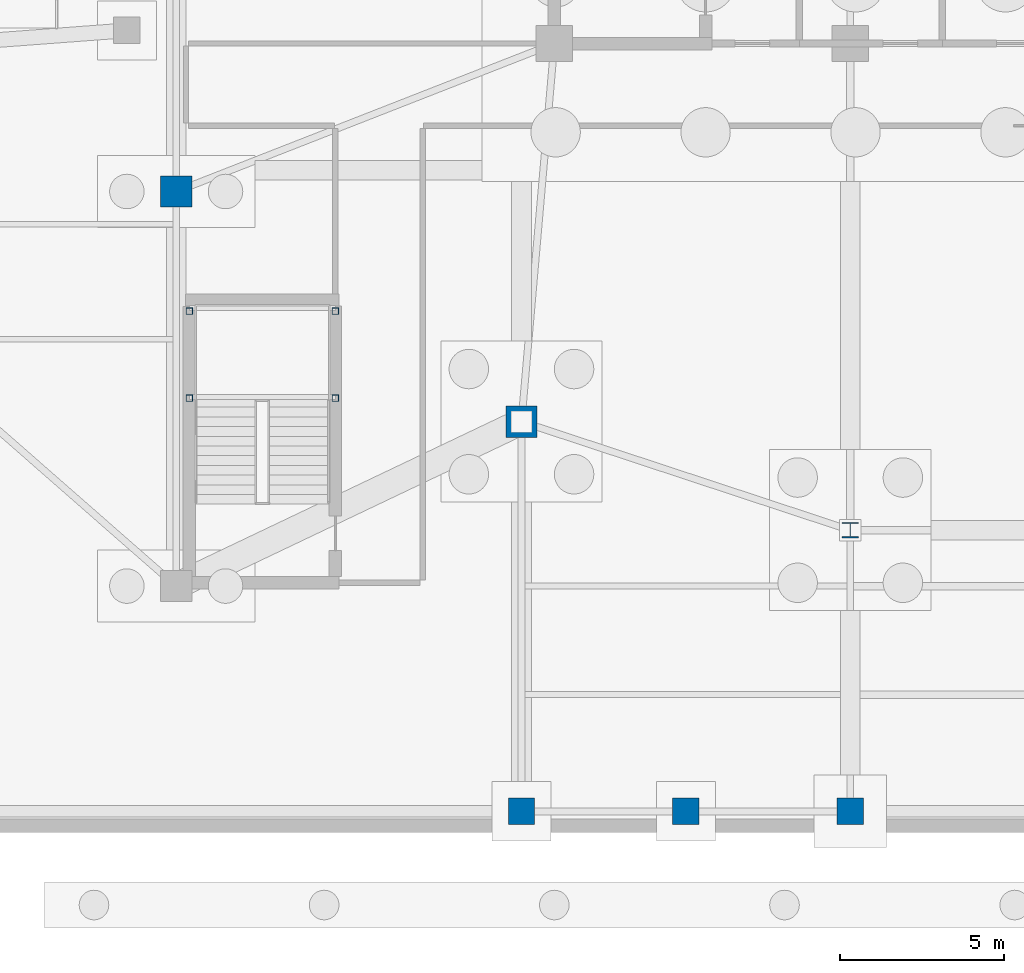
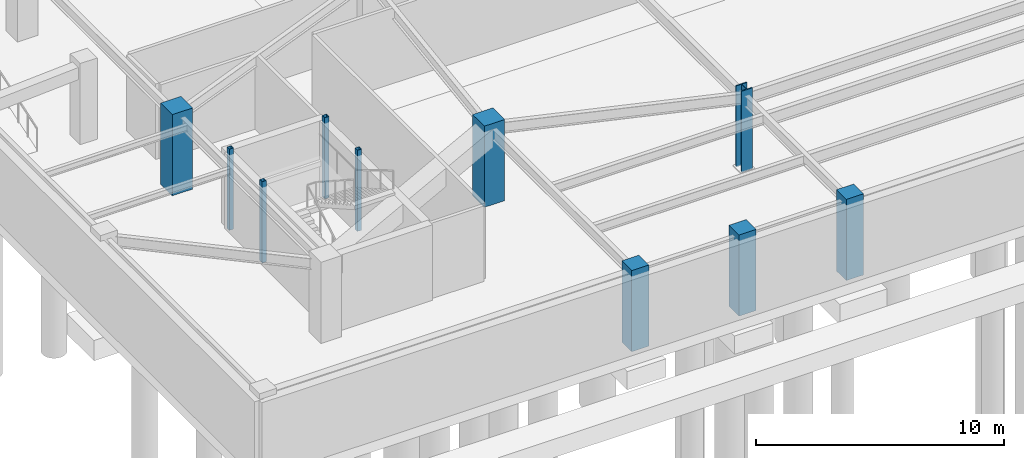
# One storey, part 2 of 10: 10 columns.
"""IFC4 building model written with IfcOpenShell, lengths in metres."""

from ifc_helpers import new_model, si_unit, direction, frame, origin, origin_2d, place, context, subcontext, project, spatial, rectangle, hollow_rectangle, i_section, extrude, source, transform, mapped, material, material_profile, profile_set, type_object, element, save


model = new_model("IFC4")

# Units and contexts
model_context = context("Model", 3, precision=1e-05, world=origin(), true_north=direction((0.0, 1.0)))
body_context = subcontext(model_context, "Body", "Model", "MODEL_VIEW")
ifc_project = project(units=[si_unit("LENGTHUNIT", "METRE"), si_unit("AREAUNIT", "SQUARE_METRE"), si_unit("VOLUMEUNIT", "CUBIC_METRE"), si_unit("PLANEANGLEUNIT", "RADIAN"), si_unit("MASSUNIT", "GRAM", prefix="KILO")], contexts=[model_context])

# Site, building, storey
site_placement = place(None, origin())
site = spatial("IfcSite", under=ifc_project, at=site_placement, CompositionType="ELEMENT")
building_placement = place(site_placement, origin())
building = spatial("IfcBuilding", under=site, at=building_placement, Name="Taldren Reach Tower", CompositionType="ELEMENT")
storey_placement = place(building_placement, frame((0.0, 0.0, -8.0)))
storey = spatial("IfcBuildingStorey", under=building, at=storey_placement, Name="B2", CompositionType="ELEMENT", Elevation=-8.0)

# Columns
ifc_material_1 = material(Name="Steel Gr 350 (350PLUS)", Category="steel")
ifc_material_profile_1 = material_profile(ifc_material_1, i_section(OverallWidth=0.5, OverallDepth=0.47998046875, WebThickness=0.028076171875, FlangeThickness=0.0439453125, at=origin_2d()), Name="500WC440")
ifc_profile_set_1 = profile_set([ifc_material_profile_1], Name="Steel Gr 350 (350PLUS)")
column_type_1 = type_object("IfcColumnType", Name="COL-WC500A", PredefinedType="COLUMN", material=ifc_profile_set_1)
shared_shape_1 = source(origin(), body_context, "Body", "SweptSolid", [
    extrude(i_section(OverallWidth=0.5, OverallDepth=0.47998046875, WebThickness=0.028076171875, FlangeThickness=0.0439453125, at=origin_2d()), origin(), (0.0, 0.0, 1.0), 4.0),
])
column_placement = place(storey_placement, frame((28.0, 9.199951171875, 0.0), z_axis=(0.0, 0.0, 1.0), x_axis=(1.0, 0.0, 0.0)))
element("IfcColumn", 1, at=column_placement, inside=storey, type_object=column_type_1, Name="Mega column MC-PJW B2", PredefinedType="COLUMN", context=body_context, shape_type="MappedRepresentation", body=[
    mapped(shared_shape_1, transform((0.0, 0.0, 0.0), scale=1.0)),
])
ifc_material_2 = material(Name="Concrete S80 (80 MPa)", Category="concrete")
ifc_material_profile_2 = material_profile(ifc_material_2, rectangle(XDim=0.949951171875, YDim=0.949951171875, at=origin_2d()), Name="RC-950x950")
ifc_profile_set_2 = profile_set([ifc_material_profile_2], Name="Concrete S80 (80 MPa)")
column_type_2 = type_object("IfcColumnType", Name="COL-RC950", PredefinedType="COLUMN", material=ifc_profile_set_2)
shared_shape_2 = source(origin(), body_context, "Body", "SweptSolid", [
    extrude(rectangle(XDim=0.949951171875, YDim=0.949951171875, at=origin_2d()), origin(), (0.0, 0.0, 1.0), 4.0),
])
for number, where, z_axis, x_axis, name in (
    (2, (18.0, 12.5, 0.0), (0.0, 0.0, 1.0), (1.0, 0.0, 0.0), "Mega column MC-SW B2"),
    (3, (7.5, 19.5, 0.0), (0.0, 0.0, 1.0), (1.0, 0.0, 0.0), "Podium structural column PG-2 B2"),
):
    element("IfcColumn", number, at=place(storey_placement, frame(where, z_axis=z_axis, x_axis=x_axis)), inside=storey, type_object=column_type_2, Name=name, PredefinedType="COLUMN", context=body_context, shape_type="MappedRepresentation", body=[
        mapped(shared_shape_2, transform((0.0, 0.0, 0.0), scale=1.0)),
    ])
ifc_material_3 = material(Name="Concrete S65 (65 MPa)", Category="concrete")
ifc_material_profile_3 = material_profile(ifc_material_3, rectangle(XDim=0.800048828125, YDim=0.800048828125, at=origin_2d()), Name="RC-800x800")
ifc_profile_set_3 = profile_set([ifc_material_profile_3], Name="Concrete S65 (65 MPa)")
column_type_3 = type_object("IfcColumnType", Name="COL-RC800", PredefinedType="COLUMN", material=ifc_profile_set_3)
shared_shape_3 = source(origin(), body_context, "Body", "SweptSolid", [
    extrude(rectangle(XDim=0.800048828125, YDim=0.800048828125, at=origin_2d()), origin(), (0.0, 0.0, 1.0), 4.0),
])
for number, where, z_axis, x_axis, name in (
    (4, (28.0, 0.64990234375, 0.0), (0.0, 0.0, 1.0), (1.0, 0.0, 0.0), "Podium structural column PG-7 B2"),
    (5, (18.0, 0.64990234375, 0.0), (0.0, 0.0, 1.0), (1.0, 0.0, 0.0), "Podium structural column PP-S1 B2"),
    (6, (23.0, 0.64990234375, 0.0), (0.0, 0.0, 1.0), (1.0, 0.0, 0.0), "Podium structural column PP-S2 B2"),
):
    element("IfcColumn", number, at=place(storey_placement, frame(where, z_axis=z_axis, x_axis=x_axis)), inside=storey, type_object=column_type_3, Name=name, PredefinedType="COLUMN", context=body_context, shape_type="MappedRepresentation", body=[
        mapped(shared_shape_3, transform((0.0, 0.0, 0.0), scale=1.0)),
    ])
ifc_material_4 = material(Name="Steel Gr 350 (C350L0)", Category="steel")
ifc_material_profile_4 = material_profile(ifc_material_4, hollow_rectangle(XDim=0.199951171875, YDim=0.199951171875, WallThickness=0.009033203125, at=origin_2d()), Name="200x200x9.0SHS")
ifc_profile_set_4 = profile_set([ifc_material_profile_4], Name="Steel Gr 350 (C350L0)")
column_type_4 = type_object("IfcColumnType", Name="COL-SHS200", PredefinedType="COLUMN", material=ifc_profile_set_4)
shared_shape_4 = source(origin(), body_context, "Body", "SweptSolid", [
    extrude(hollow_rectangle(XDim=0.199951171875, YDim=0.199951171875, WallThickness=0.009033203125, at=origin_2d()), origin(), (0.0, 0.0, 1.0), 4.0),
])
for number, where, z_axis, x_axis, name in (
    (7, (7.89990234375, 13.215087890625, 0.0), (0.0, 0.0, 1.0), (1.0, 0.0, 0.0), "Podium stair ST3 structural post 1 B2"),
    (8, (12.340087890625, 13.215087890625, 0.0), (0.0, 0.0, 1.0), (1.0, 0.0, 0.0), "Podium stair ST3 structural post 2 B2"),
    (9, (7.89990234375, 15.860107421875, 0.0), (0.0, 0.0, 1.0), (1.0, 0.0, 0.0), "Podium stair ST3 structural post 3 B2"),
    (10, (12.340087890625, 15.860107421875, 0.0), (0.0, 0.0, 1.0), (1.0, 0.0, 0.0), "Podium stair ST3 structural post 4 B2"),
):
    element("IfcColumn", number, at=place(storey_placement, frame(where, z_axis=z_axis, x_axis=x_axis)), inside=storey, type_object=column_type_4, Name=name, PredefinedType="COLUMN", context=body_context, shape_type="MappedRepresentation", body=[
        mapped(shared_shape_4, transform((0.0, 0.0, 0.0), scale=1.0)),
    ])

save(model, "model.ifc")
